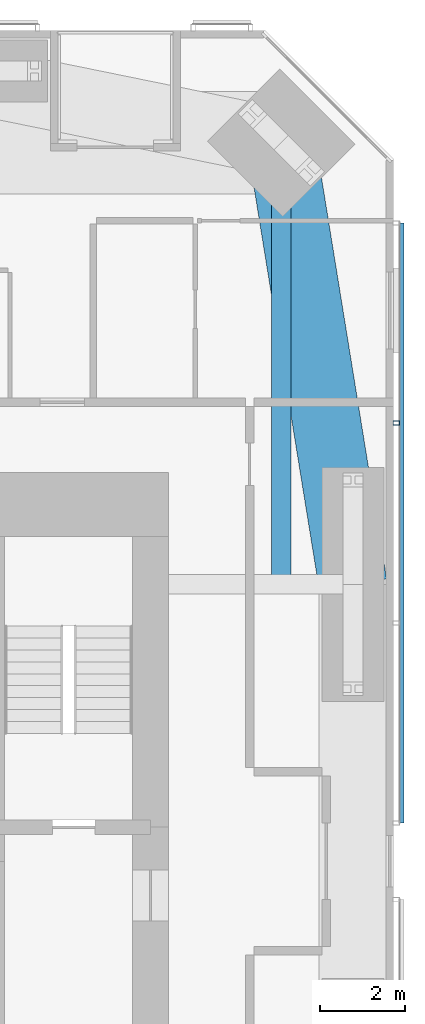
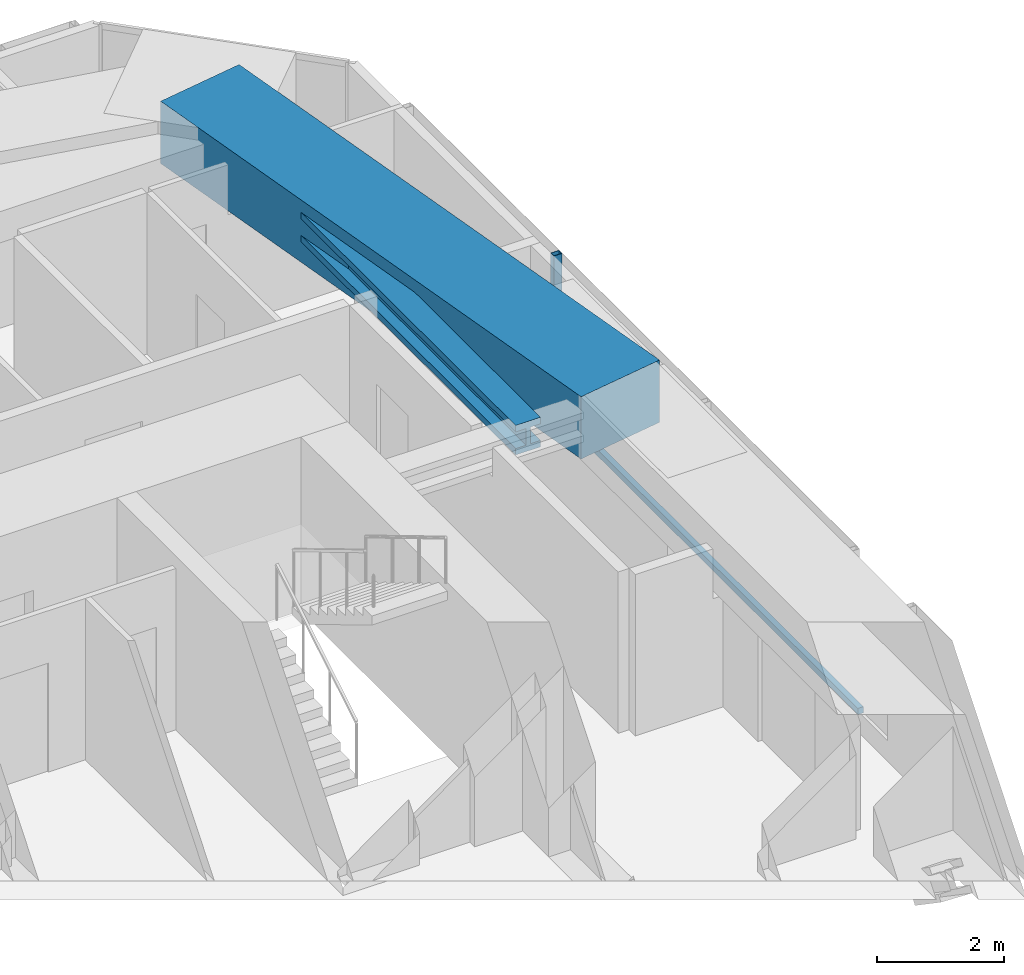
# One storey, part 10 of 23: 2 beams, 2 members, 1 element without a shape of its own.
"""IFC4 building model written with IfcOpenShell, lengths in metres."""

from ifc_helpers import new_model, si_unit, direction, frame, origin, origin_2d, place, context, subcontext, project, spatial, rectangle, hollow_rectangle, i_section, extrude, material, material_profile, profile_set, type_object, element, aggregate, save


model = new_model("IFC4")

# Units and contexts
model_context = context("Model", 3, precision=1e-05, world=origin(), true_north=direction((0.0, 1.0)))
body_context = subcontext(model_context, "Body", "Model", "MODEL_VIEW")
ifc_project = project(units=[si_unit("LENGTHUNIT", "METRE"), si_unit("AREAUNIT", "SQUARE_METRE"), si_unit("VOLUMEUNIT", "CUBIC_METRE"), si_unit("PLANEANGLEUNIT", "RADIAN"), si_unit("MASSUNIT", "GRAM", prefix="KILO")], contexts=[model_context])

# Site, building, storey
site_placement = place(None, origin())
site = spatial("IfcSite", under=ifc_project, at=site_placement, CompositionType="ELEMENT")
building_placement = place(site_placement, origin())
building = spatial("IfcBuilding", under=site, at=building_placement, Name="Jalousie Tower", CompositionType="ELEMENT")
storey_placement = place(building_placement, frame((0.0, 0.0, 118.25)))
storey = spatial("IfcBuildingStorey", under=building, at=storey_placement, Name="L32", CompositionType="ELEMENT", Elevation=118.25)

# Beams
ifc_material_1 = material(Name="Steel ASTM A992 Grade 50", Category="steel")
ifc_material_profile_1 = material_profile(ifc_material_1, i_section(OverallWidth=0.45458984375, OverallDepth=0.569091796875, WebThickness=0.077880859375, FlangeThickness=0.124755859375, at=origin_2d()), Name="W14X730")
ifc_profile_set_1 = profile_set([ifc_material_profile_1], Name="Steel ASTM A992 Grade 50")
beam_type_1 = type_object("IfcBeamType", Name="LEAN COLLECTOR W14X730", PredefinedType="BEAM", material=ifc_profile_set_1)
beam_1_placement = place(storey_placement, frame((46.86865234375, 35.36865234375, 2.825439453125), z_axis=(0.0, -1.0, 0.0), x_axis=(1.0, 0.0, 0.0)))
element("IfcBeam", 1, at=beam_1_placement, inside=storey, type_object=beam_type_1, Name="Lean collector under L33", PredefinedType="BEAM", context=body_context, shape_type="SweptSolid", body=[
    extrude(i_section(OverallWidth=0.45458984375, OverallDepth=0.569091796875, WebThickness=0.077880859375, FlangeThickness=0.124755859375, at=origin_2d()), origin(), (0.0, 0.0, 1.0), 10.36865234375),
])
ifc_material_2 = material(Name="Concrete f'c 40 MPa", Category="concrete")
ifc_material_profile_2 = material_profile(ifc_material_2, rectangle(XDim=1.60009765625, YDim=1.199951171875, at=origin_2d()), Name="RC 1600x1200")
ifc_profile_set_2 = profile_set([ifc_material_profile_2], Name="Concrete f'c 40 MPa")
beam_type_2 = type_object("IfcBeamType", Name="RC BEAM 1600x1200", PredefinedType="BEAM", material=ifc_profile_set_2)
beam_2_placement = place(storey_placement, frame((48.550048828125, 25.0, 2.75), z_axis=(-0.160070546476, 0.987105577003, 0.0), x_axis=(-0.987105577003, -0.160070546476, 0.0)))
element("IfcBeam", 2, at=beam_2_placement, inside=storey, type_object=beam_type_2, Name="Edge band beam 07-08 under L33", PredefinedType="BEAM", context=body_context, shape_type="SweptSolid", body=[
    extrude(rectangle(XDim=1.60009765625, YDim=1.199951171875, at=origin_2d()), origin(), (0.0, 0.0, 1.0), 10.504150390625),
])

# Curtain wall, members
ifc_material_3 = material(Name="Perforated aluminium sheet", Category="aluminium")
curtain_wall_type = type_object("IfcCurtainWallType", Name="SOLAR SCREEN SS-1", PredefinedType="USERDEFINED", material=ifc_material_3)
curtain_wall_placement = place(storey_placement, origin())
curtain_wall = element("IfcCurtainWall", 3, at=curtain_wall_placement, inside=storey, type_object=curtain_wall_type, Name="Solar screen L32", ObjectType="SOLAR SCREEN SS-1", PredefinedType="USERDEFINED")
ifc_material_4 = material(Name="Steel ASTM A500 Grade C", Category="steel")
ifc_material_profile_3 = material_profile(ifc_material_4, hollow_rectangle(XDim=0.1015625, YDim=0.15234375, WallThickness=0.00634765625, at=origin_2d()), Name="HSS6X4X1/4")
ifc_profile_set_3 = profile_set([ifc_material_profile_3], Name="Steel ASTM A500 Grade C")
member_type_1 = type_object("IfcMemberType", Name="SOLAR SCREEN SS-1 MULLION", PredefinedType="MULLION", material=ifc_profile_set_3)
member_1_placement = place(storey_placement, frame((49.5712890625, 28.790771484375, -0.1201171875), z_axis=(0.0, 0.0, 1.0), x_axis=(0.0, 1.0, 0.0)))
member_1 = element("IfcMember", 4, at=member_1_placement, type_object=member_type_1, Name="SS1 post 3", PredefinedType="MULLION", context=body_context, shape_type="SweptSolid", body=[
    extrude(hollow_rectangle(XDim=0.1015625, YDim=0.15234375, WallThickness=0.00634765625, at=origin_2d()), origin(), (0.0, 0.0, 1.0), 3.230224609375),
])
ifc_material_5 = material(Name="Extruded aluminium screen rail", Category="aluminium")
ifc_material_profile_4 = material_profile(ifc_material_5, rectangle(XDim=0.1015625, YDim=0.1201171875, at=origin_2d()), Name="RAIL 102x120")
ifc_profile_set_4 = profile_set([ifc_material_profile_4], Name="Extruded aluminium screen rail")
member_type_2 = type_object("IfcMemberType", Name="SOLAR SCREEN SS-1 TRANSOM", PredefinedType="USERDEFINED", material=ifc_profile_set_4)
member_2_placement = place(storey_placement, frame((49.6982421875, 19.39990234375, -0.06005859375), z_axis=(0.0, 1.0, 0.0), x_axis=(-1.0, 0.0, 0.0)))
member_2 = element("IfcMember", 5, at=member_2_placement, type_object=member_type_2, Name="SS1 rail", ObjectType="TRANSOM", PredefinedType="USERDEFINED", context=body_context, shape_type="SweptSolid", body=[
    extrude(rectangle(XDim=0.1015625, YDim=0.1201171875, at=origin_2d()), origin(), (0.0, 0.0, 1.0), 14.086181640625),
])
aggregate(curtain_wall, [member_1, member_2])

save(model, "model.ifc")
